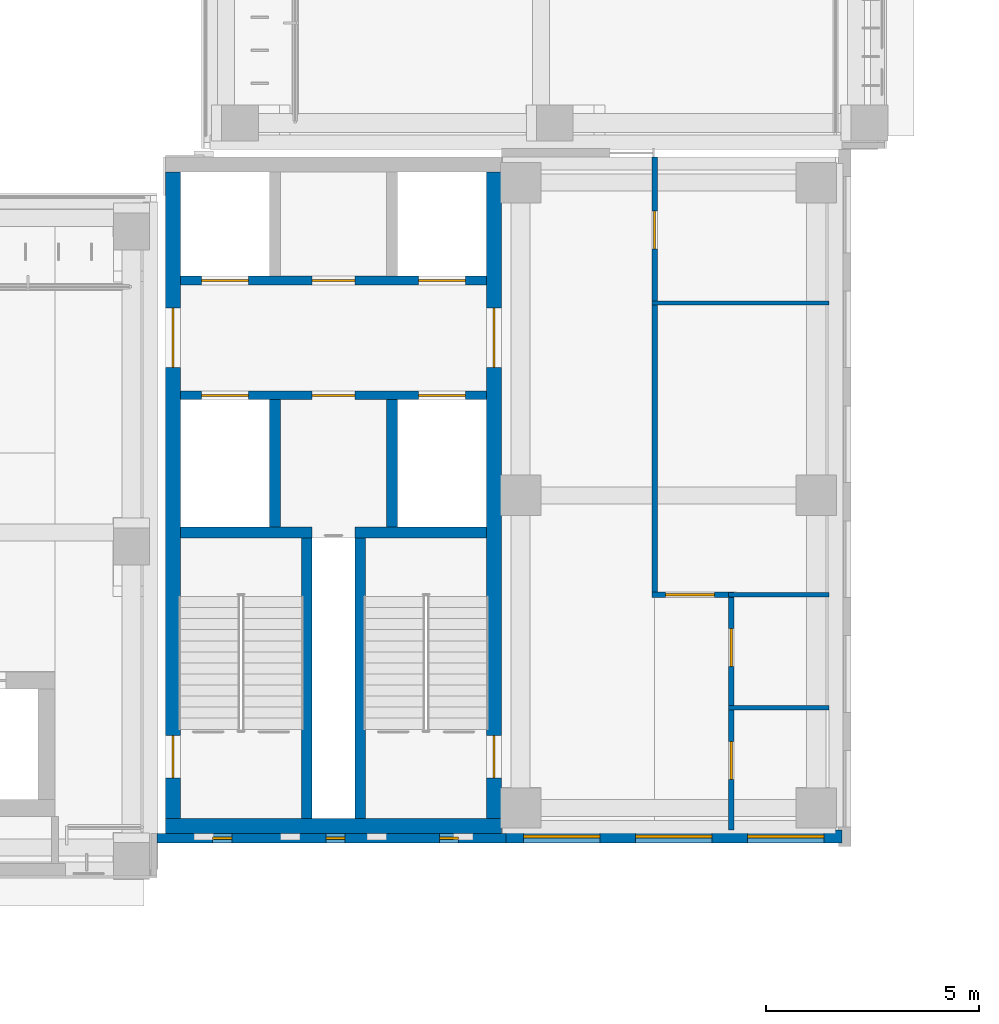
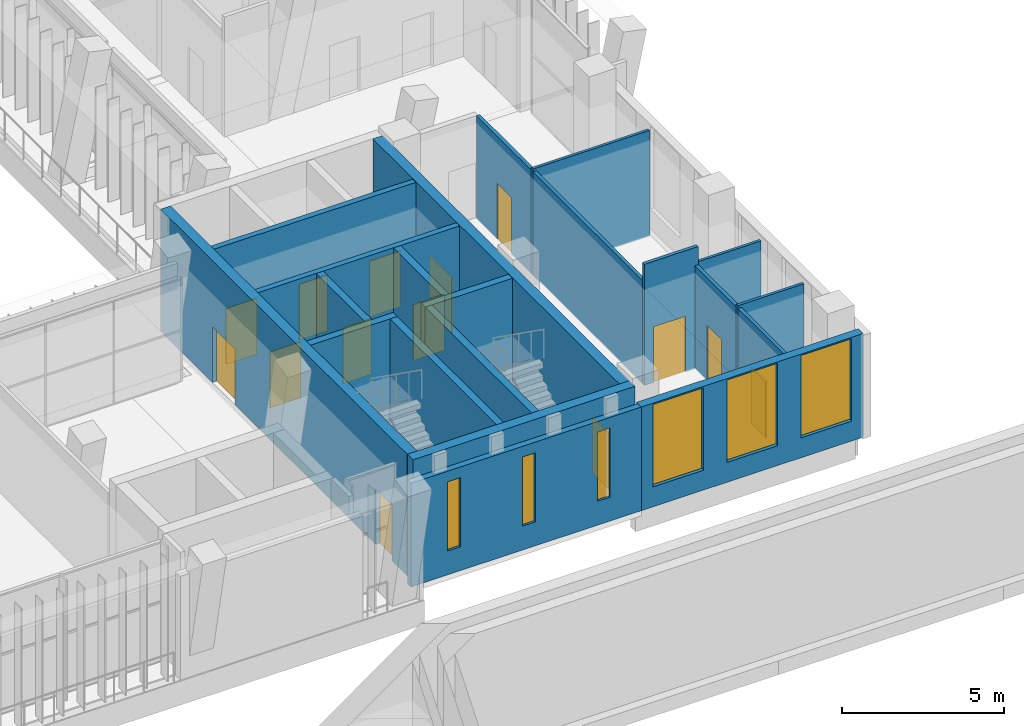
# One storey, part 62 of 92: 19 walls, 14 doors, 6 windows, 20 openings.
"""IFC4 building model written with IfcOpenShell, lengths in metres."""

from ifc_helpers import new_model, si_unit, direction, frame, frame_2d, origin, place, context, subcontext, project, spatial, rectangle, extrude, material, layer, layer_set, type_object, element, fill, save


model = new_model("IFC4")

# Units and contexts
model_context = context("Model", 3, precision=1e-05, world=origin(), true_north=direction((0.0, 1.0)))
body_context = subcontext(model_context, "Body", "Model", "MODEL_VIEW")
ifc_project = project(units=[si_unit("LENGTHUNIT", "METRE"), si_unit("AREAUNIT", "SQUARE_METRE"), si_unit("VOLUMEUNIT", "CUBIC_METRE"), si_unit("PLANEANGLEUNIT", "RADIAN"), si_unit("MASSUNIT", "GRAM", prefix="KILO")], contexts=[model_context])

# Site, building, storey
site_placement = place(None, origin())
site = spatial("IfcSite", under=ifc_project, at=site_placement, CompositionType="ELEMENT")
building_placement = place(site_placement, origin())
building = spatial("IfcBuilding", under=site, at=building_placement, Name="Lantern Court Media Centre", CompositionType="ELEMENT")
storey_placement = place(building_placement, frame((0.0, 0.0, 4.800048828125)))
storey = spatial("IfcBuildingStorey", under=building, at=storey_placement, Name="L01", CompositionType="ELEMENT", Elevation=4.800048828125)

# Wall, opening, door
ifc_material_1 = material(Name="Gypsum board partition")
ifc_layer_1 = layer(ifc_material_1, 0.125)
ifc_layer_set_1 = layer_set([ifc_layer_1], Name="Gypsum board partition")
wall_type_1 = type_object("IfcWallType", Name="Corridor partition 125", PredefinedType="PARTITIONING", material=ifc_layer_set_1)
wall_1_placement = place(storey_placement, frame((91.60009765625, 53.6767578125, 0.0), z_axis=(0.0, 0.0, 1.0), x_axis=(0.0, 1.0, 0.0)))
wall_1 = element("IfcWall", 1, at=wall_1_placement, inside=storey, type_object=wall_type_1, Name="L01 partition 046", PredefinedType="PARTITIONING", context=body_context, shape_type="SweptSolid", body=[
    extrude(rectangle(XDim=10.22314453125, YDim=0.125, at=frame_2d((5.111572265625, 0.0))), origin(), (0.0, 0.0, 1.0), 3.8798828125),
])
opening_1_placement = place(wall_1_placement, frame((8.058837890625, 0.0, 0.0)))
opening_1 = element("IfcOpeningElement", 2, at=opening_1_placement, cuts=wall_1, Name="Opening L01-026", PredefinedType="OPENING", context=body_context, shape_type="SweptSolid", body=[
    extrude(rectangle(XDim=0.89990234375, YDim=2.10009765625, at=frame_2d((0.449951171875, 1.050048828125))), frame((0.0, 0.072509765625, 0.0), z_axis=(0.0, -1.0, 0.0), x_axis=(1.0, 0.0, 0.0)), (0.0, 0.0, 1.0), 0.14501953125),
])
ifc_material_2 = material(Name="Solid-core timber door leaf", Category="wood")
door_type_1 = type_object("IfcDoorType", Name="Single door 900x2100", OperationType="NOTDEFINED", PredefinedType="DOOR", material=ifc_material_2)
door_1_placement = place(opening_1_placement, frame((0.89990234375, 0.0, 0.0), z_axis=(0.0, 0.0, 1.0), x_axis=(-1.0, 0.0, 0.0)))
door_1 = element("IfcDoor", 3, at=door_1_placement, inside=storey, type_object=door_type_1, Name="L01 Library Administration Office door", OperationType="SINGLE_SWING_LEFT", OverallHeight=2.10009765625, OverallWidth=0.89990234375, PredefinedType="DOOR", context=body_context, shape_type="SweptSolid", body=[
    extrude(rectangle(XDim=0.89990234375, YDim=2.10009765625, at=frame_2d((0.449951171875, 1.050048828125))), frame((0.0, 0.02490234375, 0.0), z_axis=(0.0, -1.0, 0.0), x_axis=(1.0, 0.0, 0.0)), (0.0, 0.0, 1.0), 0.050048828125),
])
fill(opening_1, door_1)

wall_2_placement = place(storey_placement, frame((91.53759765625, 53.614013671875, 0.0), z_axis=(0.0, 0.0, 1.0), x_axis=(1.0, 0.0, 0.0)))
wall_2 = element("IfcWall", 4, at=wall_2_placement, inside=storey, type_object=wall_type_1, Name="L01 partition 048", PredefinedType="PARTITIONING", context=body_context, shape_type="SweptSolid", body=[
    extrude(rectangle(XDim=1.9248046875, YDim=0.125, at=frame_2d((0.96240234375, 0.0))), origin(), (0.0, 0.0, 1.0), 4.56005859375),
])
opening_2_placement = place(wall_2_placement, frame((0.321533203125, 0.0, 0.0)))
opening_2 = element("IfcOpeningElement", 5, at=opening_2_placement, cuts=wall_2, Name="Opening L01-025", PredefinedType="OPENING", context=body_context, shape_type="SweptSolid", body=[
    extrude(rectangle(XDim=1.14990234375, YDim=2.10009765625, at=frame_2d((0.574951171875, 1.050048828125))), frame((0.0, 0.072509765625, 0.0), z_axis=(0.0, -1.0, 0.0), x_axis=(1.0, 0.0, 0.0)), (0.0, 0.0, 1.0), 0.14501953125),
])
door_type_2 = type_object("IfcDoorType", Name="Single door 1150x2100", OperationType="NOTDEFINED", PredefinedType="DOOR", material=ifc_material_2)
door_2_placement = place(opening_2_placement, origin())
door_2 = element("IfcDoor", 6, at=door_2_placement, inside=storey, type_object=door_type_2, Name="L01 Exhibition Gallery door", OperationType="SINGLE_SWING_RIGHT", OverallHeight=2.10009765625, OverallWidth=1.14990234375, PredefinedType="DOOR", context=body_context, shape_type="SweptSolid", body=[
    extrude(rectangle(XDim=1.14990234375, YDim=2.10009765625, at=frame_2d((0.574951171875, 1.050048828125))), frame((0.0, 0.02490234375, 0.0), z_axis=(0.0, -1.0, 0.0), x_axis=(1.0, 0.0, 0.0)), (0.0, 0.0, 1.0), 0.050048828125),
])
fill(opening_2, door_2)

# Wall, openings, doors
wall_3_placement = place(storey_placement, frame((93.39990234375, 48.080078125, 0.0), z_axis=(0.0, 0.0, 1.0), x_axis=(0.0, 1.0, 0.0)))
wall_3 = element("IfcWall", 7, at=wall_3_placement, inside=storey, type_object=wall_type_1, Name="L01 partition 051", PredefinedType="PARTITIONING", context=body_context, shape_type="SweptSolid", body=[
    extrude(rectangle(XDim=5.4716796875, YDim=0.125, at=frame_2d((2.73583984375, 0.0))), origin(), (0.0, 0.0, 1.0), 3.8798828125),
])
opening_3_placement = place(wall_3_placement, frame((1.183837890625, 0.0, 0.0)))
opening_3 = element("IfcOpeningElement", 8, at=opening_3_placement, cuts=wall_3, Name="Opening L01-027", PredefinedType="OPENING", context=body_context, shape_type="SweptSolid", body=[
    extrude(rectangle(XDim=0.89990234375, YDim=2.10009765625, at=frame_2d((0.449951171875, 1.050048828125))), frame((0.0, 0.072509765625, 0.0), z_axis=(0.0, -1.0, 0.0), x_axis=(1.0, 0.0, 0.0)), (0.0, 0.0, 1.0), 0.14501953125),
])
opening_4_placement = place(wall_3_placement, frame((3.8408203125, 0.0, 0.0)))
opening_4 = element("IfcOpeningElement", 9, at=opening_4_placement, cuts=wall_3, Name="Opening L01-028", PredefinedType="OPENING", context=body_context, shape_type="SweptSolid", body=[
    extrude(rectangle(XDim=0.89990234375, YDim=2.10009765625, at=frame_2d((0.449951171875, 1.050048828125))), frame((0.0, 0.072509765625, 0.0), z_axis=(0.0, -1.0, 0.0), x_axis=(1.0, 0.0, 0.0)), (0.0, 0.0, 1.0), 0.14501953125),
])
door_3_placement = place(opening_3_placement, frame((0.89990234375, 0.0, 0.0), z_axis=(0.0, 0.0, 1.0), x_axis=(-1.0, 0.0, 0.0)))
door_3 = element("IfcDoor", 10, at=door_3_placement, inside=storey, type_object=door_type_1, Name="L01 WC Male door", OperationType="SINGLE_SWING_RIGHT", OverallHeight=2.10009765625, OverallWidth=0.89990234375, PredefinedType="DOOR", context=body_context, shape_type="SweptSolid", body=[
    extrude(rectangle(XDim=0.89990234375, YDim=2.10009765625, at=frame_2d((0.449951171875, 1.050048828125))), frame((0.0, 0.02490234375, 0.0), z_axis=(0.0, -1.0, 0.0), x_axis=(1.0, 0.0, 0.0)), (0.0, 0.0, 1.0), 0.050048828125),
])
fill(opening_3, door_3)
door_4_placement = place(opening_4_placement, frame((0.89990234375, 0.0, 0.0), z_axis=(0.0, 0.0, 1.0), x_axis=(-1.0, 0.0, 0.0)))
door_4 = element("IfcDoor", 11, at=door_4_placement, inside=storey, type_object=door_type_1, Name="L01 WC Female door", OperationType="SINGLE_SWING_LEFT", OverallHeight=2.10009765625, OverallWidth=0.89990234375, PredefinedType="DOOR", context=body_context, shape_type="SweptSolid", body=[
    extrude(rectangle(XDim=0.89990234375, YDim=2.10009765625, at=frame_2d((0.449951171875, 1.050048828125))), frame((0.0, 0.02490234375, 0.0), z_axis=(0.0, -1.0, 0.0), x_axis=(1.0, 0.0, 0.0)), (0.0, 0.0, 1.0), 0.050048828125),
])
fill(opening_4, door_4)

ifc_material_3 = material(Name="Concrete C40", Category="concrete")
ifc_layer_2 = layer(ifc_material_3, 0.199951171875)
ifc_layer_set_2 = layer_set([ifc_layer_2], Name="Concrete C40")
wall_type_2 = type_object("IfcWallType", Name="Fire lobby wall 200", PredefinedType="SOLIDWALL", material=ifc_layer_set_2)
wall_4_placement = place(storey_placement, frame((87.64990234375, 58.300048828125, 0.0), z_axis=(0.0, 0.0, 1.0), x_axis=(-1.0, 0.0, 0.0)))
wall_4 = element("IfcWall", 12, at=wall_4_placement, inside=storey, type_object=wall_type_2, Name="L01 SE FW1", PredefinedType="SOLIDWALL", context=body_context, shape_type="SweptSolid", body=[
    extrude(rectangle(XDim=7.199951171875, YDim=0.199951171875, at=frame_2d((3.60009765625, 0.0))), origin(), (0.0, 0.0, 1.0), 4.550048828125),
])
opening_5_placement = place(wall_4_placement, frame((0.5, 0.0, 0.0)))
opening_5 = element("IfcOpeningElement", 13, at=opening_5_placement, cuts=wall_4, Name="Opening LD-SEFF-L01", PredefinedType="OPENING", context=body_context, shape_type="SweptSolid", body=[
    extrude(rectangle(XDim=1.10009765625, YDim=2.10009765625, at=frame_2d((0.550048828125, 1.050048828125))), frame((0.0, 0.10986328125, 0.0), z_axis=(0.0, -1.0, 0.0), x_axis=(1.0, 0.0, 0.0)), (0.0, 0.0, 1.0), 0.219970703125),
])
opening_6_placement = place(wall_4_placement, frame((5.60009765625, 0.0, 0.0)))
opening_6 = element("IfcOpeningElement", 14, at=opening_6_placement, cuts=wall_4, Name="Opening LD-SEP1-L01", PredefinedType="OPENING", context=body_context, shape_type="SweptSolid", body=[
    extrude(rectangle(XDim=1.10009765625, YDim=2.10009765625, at=frame_2d((0.550048828125, 1.050048828125))), frame((0.0, 0.10986328125, 0.0), z_axis=(0.0, -1.0, 0.0), x_axis=(1.0, 0.0, 0.0)), (0.0, 0.0, 1.0), 0.219970703125),
])
opening_7_placement = place(wall_4_placement, frame((3.10009765625, 0.0, 0.0)))
opening_7 = element("IfcOpeningElement", 15, at=opening_7_placement, cuts=wall_4, Name="Opening SE-L01-03", PredefinedType="OPENING", context=body_context, shape_type="SweptSolid", body=[
    extrude(rectangle(XDim=1.0, YDim=2.10009765625, at=frame_2d((0.5, 1.050048828125))), frame((0.0, 0.10986328125, 0.0), z_axis=(0.0, -1.0, 0.0), x_axis=(1.0, 0.0, 0.0)), (0.0, 0.0, 1.0), 0.219970703125),
])
ifc_material_4 = material(Name="Steel door leaf", Category="steel")
door_type_3 = type_object("IfcDoorType", Name="Lift landing door 1100x2100", OperationType="DOUBLE_DOOR_SLIDING", PredefinedType="DOOR", material=ifc_material_4)
door_5_placement = place(opening_5_placement, frame((1.10009765625, 0.0, 0.0), z_axis=(0.0, 0.0, 1.0), x_axis=(-1.0, 0.0, 0.0)))
door_5 = element("IfcDoor", 16, at=door_5_placement, inside=storey, type_object=door_type_3, Name="L01 SE lift FF landing door", OperationType="DOUBLE_DOOR_SLIDING", OverallHeight=2.10009765625, OverallWidth=1.10009765625, PredefinedType="DOOR", context=body_context, shape_type="SweptSolid", body=[
    extrude(rectangle(XDim=1.10009765625, YDim=2.10009765625, at=frame_2d((0.550048828125, 1.050048828125))), frame((0.0, 0.02490234375, 0.0), z_axis=(0.0, -1.0, 0.0), x_axis=(1.0, 0.0, 0.0)), (0.0, 0.0, 1.0), 0.050048828125),
])
fill(opening_5, door_5)
door_6_placement = place(opening_6_placement, frame((1.10009765625, 0.0, 0.0), z_axis=(0.0, 0.0, 1.0), x_axis=(-1.0, 0.0, 0.0)))
door_6 = element("IfcDoor", 17, at=door_6_placement, inside=storey, type_object=door_type_3, Name="L01 SE lift P1 landing door", OperationType="DOUBLE_DOOR_SLIDING", OverallHeight=2.10009765625, OverallWidth=1.10009765625, PredefinedType="DOOR", context=body_context, shape_type="SweptSolid", body=[
    extrude(rectangle(XDim=1.10009765625, YDim=2.10009765625, at=frame_2d((0.550048828125, 1.050048828125))), frame((0.0, 0.02490234375, 0.0), z_axis=(0.0, -1.0, 0.0), x_axis=(1.0, 0.0, 0.0)), (0.0, 0.0, 1.0), 0.050048828125),
])
fill(opening_6, door_6)
door_type_4 = type_object("IfcDoorType", Name="Service door 1000x2100", OperationType="NOTDEFINED", PredefinedType="DOOR", material=ifc_material_4)
door_7_placement = place(opening_7_placement, frame((1.0, 0.0, 0.0), z_axis=(0.0, 0.0, 1.0), x_axis=(-1.0, 0.0, 0.0)))
door_7 = element("IfcDoor", 18, at=door_7_placement, inside=storey, type_object=door_type_4, Name="L01 SE services riser door", OperationType="SINGLE_SWING_LEFT", OverallHeight=2.10009765625, OverallWidth=1.0, PredefinedType="DOOR", context=body_context, shape_type="SweptSolid", body=[
    extrude(rectangle(XDim=1.0, YDim=2.10009765625, at=frame_2d((0.5, 1.050048828125))), frame((0.0, 0.02490234375, 0.0), z_axis=(0.0, -1.0, 0.0), x_axis=(1.0, 0.0, 0.0)), (0.0, 0.0, 1.0), 0.050048828125),
])
fill(opening_7, door_7)

wall_5_placement = place(storey_placement, frame((87.64990234375, 61.0, 0.0), z_axis=(0.0, 0.0, 1.0), x_axis=(-1.0, 0.0, 0.0)))
wall_5 = element("IfcWall", 19, at=wall_5_placement, inside=storey, type_object=wall_type_2, Name="L01 SE FW2", PredefinedType="SOLIDWALL", context=body_context, shape_type="SweptSolid", body=[
    extrude(rectangle(XDim=7.199951171875, YDim=0.199951171875, at=frame_2d((3.60009765625, 0.0))), origin(), (0.0, 0.0, 1.0), 4.550048828125),
])
opening_8_placement = place(wall_5_placement, frame((0.5, 0.0, 0.0)))
opening_8 = element("IfcOpeningElement", 20, at=opening_8_placement, cuts=wall_5, Name="Opening LD-SEP2-L01", PredefinedType="OPENING", context=body_context, shape_type="SweptSolid", body=[
    extrude(rectangle(XDim=1.10009765625, YDim=2.10009765625, at=frame_2d((0.550048828125, 1.050048828125))), frame((0.0, 0.10986328125, 0.0), z_axis=(0.0, -1.0, 0.0), x_axis=(1.0, 0.0, 0.0)), (0.0, 0.0, 1.0), 0.219970703125),
])
opening_9_placement = place(wall_5_placement, frame((5.60009765625, 0.0, 0.0)))
opening_9 = element("IfcOpeningElement", 21, at=opening_9_placement, cuts=wall_5, Name="Opening LD-SEP3-L01", PredefinedType="OPENING", context=body_context, shape_type="SweptSolid", body=[
    extrude(rectangle(XDim=1.10009765625, YDim=2.10009765625, at=frame_2d((0.550048828125, 1.050048828125))), frame((0.0, 0.10986328125, 0.0), z_axis=(0.0, -1.0, 0.0), x_axis=(1.0, 0.0, 0.0)), (0.0, 0.0, 1.0), 0.219970703125),
])
opening_10_placement = place(wall_5_placement, frame((3.10009765625, 0.0, 0.0)))
opening_10 = element("IfcOpeningElement", 22, at=opening_10_placement, cuts=wall_5, Name="Opening SE-L01-04", PredefinedType="OPENING", context=body_context, shape_type="SweptSolid", body=[
    extrude(rectangle(XDim=1.0, YDim=2.10009765625, at=frame_2d((0.5, 1.050048828125))), frame((0.0, 0.10986328125, 0.0), z_axis=(0.0, -1.0, 0.0), x_axis=(1.0, 0.0, 0.0)), (0.0, 0.0, 1.0), 0.219970703125),
])
door_8_placement = place(opening_8_placement, origin())
door_8 = element("IfcDoor", 23, at=door_8_placement, inside=storey, type_object=door_type_3, Name="L01 SE lift P2 landing door", OperationType="DOUBLE_DOOR_SLIDING", OverallHeight=2.10009765625, OverallWidth=1.10009765625, PredefinedType="DOOR", context=body_context, shape_type="SweptSolid", body=[
    extrude(rectangle(XDim=1.10009765625, YDim=2.10009765625, at=frame_2d((0.550048828125, 1.050048828125))), frame((0.0, 0.02490234375, 0.0), z_axis=(0.0, -1.0, 0.0), x_axis=(1.0, 0.0, 0.0)), (0.0, 0.0, 1.0), 0.050048828125),
])
fill(opening_8, door_8)
door_9_placement = place(opening_9_placement, origin())
door_9 = element("IfcDoor", 24, at=door_9_placement, inside=storey, type_object=door_type_3, Name="L01 SE lift P3 landing door", OperationType="DOUBLE_DOOR_SLIDING", OverallHeight=2.10009765625, OverallWidth=1.10009765625, PredefinedType="DOOR", context=body_context, shape_type="SweptSolid", body=[
    extrude(rectangle(XDim=1.10009765625, YDim=2.10009765625, at=frame_2d((0.550048828125, 1.050048828125))), frame((0.0, 0.02490234375, 0.0), z_axis=(0.0, -1.0, 0.0), x_axis=(1.0, 0.0, 0.0)), (0.0, 0.0, 1.0), 0.050048828125),
])
fill(opening_9, door_9)
door_10_placement = place(opening_10_placement, origin())
door_10 = element("IfcDoor", 25, at=door_10_placement, inside=storey, type_object=door_type_4, Name="L01 SE accessible WC door", OperationType="SINGLE_SWING_RIGHT", OverallHeight=2.10009765625, OverallWidth=1.0, PredefinedType="DOOR", context=body_context, shape_type="SweptSolid", body=[
    extrude(rectangle(XDim=1.0, YDim=2.10009765625, at=frame_2d((0.5, 1.050048828125))), frame((0.0, 0.02490234375, 0.0), z_axis=(0.0, -1.0, 0.0), x_axis=(1.0, 0.0, 0.0)), (0.0, 0.0, 1.0), 0.050048828125),
])
fill(opening_10, door_10)

# Wall, openings, windows
ifc_material_5 = material(Name="Honed limestone cladding on blockwork", Category="masonry")
ifc_layer_3 = layer(ifc_material_5, 0.300048828125)
ifc_layer_set_3 = layer_set([ifc_layer_3], Name="Honed limestone cladding on blockwork")
wall_type_3 = type_object("IfcWallType", Name="Limestone block wall 300", PredefinedType="SOLIDWALL", material=ifc_layer_set_3)
wall_6_placement = place(storey_placement, frame((88.10009765625, 47.929931640625, 0.0), z_axis=(0.0, 0.0, 1.0), x_axis=(1.0, 0.0, 0.0)))
wall_6 = element("IfcWall", 26, at=wall_6_placement, inside=storey, type_object=wall_type_3, Name="Limestone wall SE S L01", PredefinedType="SOLIDWALL", context=body_context, shape_type="SweptSolid", body=[
    extrude(rectangle(XDim=7.89990234375, YDim=0.300048828125, at=frame_2d((3.949951171875, 0.0))), origin(), (0.0, 0.0, 1.0), 3.89990234375),
])
opening_11_placement = place(wall_6_placement, frame((0.416748046875, 0.0, 0.75)))
opening_11 = element("IfcOpeningElement", 27, at=opening_11_placement, cuts=wall_6, Name="Opening WN-F", PredefinedType="OPENING", context=body_context, shape_type="SweptSolid", body=[
    extrude(rectangle(XDim=1.800048828125, YDim=3.10009765625, at=frame_2d((0.89990234375, 1.550048828125))), frame((0.0, 0.159912109375, 0.0), z_axis=(0.0, -1.0, 0.0), x_axis=(1.0, 0.0, 0.0)), (0.0, 0.0, 1.0), 0.320068359375),
])
opening_12_placement = place(wall_6_placement, frame((3.050048828125, 0.0, 0.75)))
opening_12 = element("IfcOpeningElement", 28, at=opening_12_placement, cuts=wall_6, Name="Opening WN-F", PredefinedType="OPENING", context=body_context, shape_type="SweptSolid", body=[
    extrude(rectangle(XDim=1.800048828125, YDim=3.10009765625, at=frame_2d((0.89990234375, 1.550048828125))), frame((0.0, 0.159912109375, 0.0), z_axis=(0.0, -1.0, 0.0), x_axis=(1.0, 0.0, 0.0)), (0.0, 0.0, 1.0), 0.320068359375),
])
opening_13_placement = place(wall_6_placement, frame((5.683349609375, 0.0, 0.75)))
opening_13 = element("IfcOpeningElement", 29, at=opening_13_placement, cuts=wall_6, Name="Opening WN-F", PredefinedType="OPENING", context=body_context, shape_type="SweptSolid", body=[
    extrude(rectangle(XDim=1.800048828125, YDim=3.10009765625, at=frame_2d((0.89990234375, 1.550048828125))), frame((0.0, 0.159912109375, 0.0), z_axis=(0.0, -1.0, 0.0), x_axis=(1.0, 0.0, 0.0)), (0.0, 0.0, 1.0), 0.320068359375),
])
ifc_material_6 = material(Name="Anodised aluminium and glass", Category="aluminium")
window_type_1 = type_object("IfcWindowType", Name="Foyer window 1800x3100", PartitioningType="SINGLE_PANEL", PredefinedType="WINDOW", material=ifc_material_6)
window_1_placement = place(opening_11_placement, origin())
window_1 = element("IfcWindow", 30, at=window_1_placement, inside=storey, type_object=window_type_1, Name="Window SE S L01", OverallHeight=3.10009765625, OverallWidth=1.800048828125, PartitioningType="SINGLE_PANEL", PredefinedType="WINDOW", context=body_context, shape_type="SweptSolid", body=[
    extrude(rectangle(XDim=1.800048828125, YDim=3.10009765625, at=frame_2d((0.89990234375, 1.550048828125))), frame((0.0, 0.030029296875, 0.0), z_axis=(0.0, -1.0, 0.0), x_axis=(1.0, 0.0, 0.0)), (0.0, 0.0, 1.0), 0.06005859375),
])
fill(opening_11, window_1)
window_2_placement = place(opening_12_placement, origin())
window_2 = element("IfcWindow", 31, at=window_2_placement, inside=storey, type_object=window_type_1, Name="Window SE S L01", OverallHeight=3.10009765625, OverallWidth=1.800048828125, PartitioningType="SINGLE_PANEL", PredefinedType="WINDOW", context=body_context, shape_type="SweptSolid", body=[
    extrude(rectangle(XDim=1.800048828125, YDim=3.10009765625, at=frame_2d((0.89990234375, 1.550048828125))), frame((0.0, 0.030029296875, 0.0), z_axis=(0.0, -1.0, 0.0), x_axis=(1.0, 0.0, 0.0)), (0.0, 0.0, 1.0), 0.06005859375),
])
fill(opening_12, window_2)
window_3_placement = place(opening_13_placement, origin())
window_3 = element("IfcWindow", 32, at=window_3_placement, inside=storey, type_object=window_type_1, Name="Window SE S L01", OverallHeight=3.10009765625, OverallWidth=1.800048828125, PartitioningType="SINGLE_PANEL", PredefinedType="WINDOW", context=body_context, shape_type="SweptSolid", body=[
    extrude(rectangle(XDim=1.800048828125, YDim=3.10009765625, at=frame_2d((0.89990234375, 1.550048828125))), frame((0.0, 0.030029296875, 0.0), z_axis=(0.0, -1.0, 0.0), x_axis=(1.0, 0.0, 0.0)), (0.0, 0.0, 1.0), 0.06005859375),
])
fill(opening_13, window_3)

ifc_material_7 = material(Name="Honed limestone cladding on blockwork, reduced to 220 where it passes the core wall", Category="masonry")
ifc_layer_4 = layer(ifc_material_7, 0.219970703125)
ifc_layer_set_4 = layer_set([ifc_layer_4], Name="Honed limestone cladding on blockwork, reduced to 220 where it passes the core wall")
wall_type_4 = type_object("IfcWallType", Name="Limestone skin wall 220", PredefinedType="SOLIDWALL", material=ifc_layer_set_4)
wall_7_placement = place(storey_placement, frame((79.89990234375, 47.889892578125, 0.0), z_axis=(0.0, 0.0, 1.0), x_axis=(1.0, 0.0, 0.0)))
wall_7 = element("IfcWall", 33, at=wall_7_placement, inside=storey, type_object=wall_type_4, Name="Limestone wall SE S L01", PredefinedType="SOLIDWALL", context=body_context, shape_type="SweptSolid", body=[
    extrude(rectangle(XDim=8.2001953125, YDim=0.219970703125, at=frame_2d((4.10009765625, 0.0))), origin(), (0.0, 0.0, 1.0), 3.89990234375),
])
opening_14_placement = place(wall_7_placement, frame((1.308349609375, 0.0, 0.89990234375)))
opening_14 = element("IfcOpeningElement", 34, at=opening_14_placement, cuts=wall_7, Name="Opening WN-S", PredefinedType="OPENING", context=body_context, shape_type="SweptSolid", body=[
    extrude(rectangle(XDim=0.449951171875, YDim=2.60009765625, at=frame_2d((0.22509765625, 1.300048828125))), frame((0.0, 0.119873046875, 0.0), z_axis=(0.0, -1.0, 0.0), x_axis=(1.0, 0.0, 0.0)), (0.0, 0.0, 1.0), 0.239990234375),
])
opening_15_placement = place(wall_7_placement, frame((3.97509765625, 0.0, 0.89990234375)))
opening_15 = element("IfcOpeningElement", 35, at=opening_15_placement, cuts=wall_7, Name="Opening WN-S", PredefinedType="OPENING", context=body_context, shape_type="SweptSolid", body=[
    extrude(rectangle(XDim=0.449951171875, YDim=2.60009765625, at=frame_2d((0.22509765625, 1.300048828125))), frame((0.0, 0.119873046875, 0.0), z_axis=(0.0, -1.0, 0.0), x_axis=(1.0, 0.0, 0.0)), (0.0, 0.0, 1.0), 0.239990234375),
])
opening_16_placement = place(wall_7_placement, frame((6.6416015625, 0.0, 0.89990234375)))
opening_16 = element("IfcOpeningElement", 36, at=opening_16_placement, cuts=wall_7, Name="Opening WN-S", PredefinedType="OPENING", context=body_context, shape_type="SweptSolid", body=[
    extrude(rectangle(XDim=0.449951171875, YDim=2.60009765625, at=frame_2d((0.22509765625, 1.300048828125))), frame((0.0, 0.119873046875, 0.0), z_axis=(0.0, -1.0, 0.0), x_axis=(1.0, 0.0, 0.0)), (0.0, 0.0, 1.0), 0.239990234375),
])
window_type_2 = type_object("IfcWindowType", Name="Stair slit window 450x2600", PartitioningType="SINGLE_PANEL", PredefinedType="WINDOW", material=ifc_material_6)
window_4_placement = place(opening_14_placement, origin())
window_4 = element("IfcWindow", 37, at=window_4_placement, inside=storey, type_object=window_type_2, Name="Window SE S L01", OverallHeight=2.60009765625, OverallWidth=0.449951171875, PartitioningType="SINGLE_PANEL", PredefinedType="WINDOW", context=body_context, shape_type="SweptSolid", body=[
    extrude(rectangle(XDim=0.449951171875, YDim=2.60009765625, at=frame_2d((0.22509765625, 1.300048828125))), frame((0.0, 0.030029296875, 0.0), z_axis=(0.0, -1.0, 0.0), x_axis=(1.0, 0.0, 0.0)), (0.0, 0.0, 1.0), 0.06005859375),
])
fill(opening_14, window_4)
window_5_placement = place(opening_15_placement, origin())
window_5 = element("IfcWindow", 38, at=window_5_placement, inside=storey, type_object=window_type_2, Name="Window SE S L01", OverallHeight=2.60009765625, OverallWidth=0.449951171875, PartitioningType="SINGLE_PANEL", PredefinedType="WINDOW", context=body_context, shape_type="SweptSolid", body=[
    extrude(rectangle(XDim=0.449951171875, YDim=2.60009765625, at=frame_2d((0.22509765625, 1.300048828125))), frame((0.0, 0.030029296875, 0.0), z_axis=(0.0, -1.0, 0.0), x_axis=(1.0, 0.0, 0.0)), (0.0, 0.0, 1.0), 0.06005859375),
])
fill(opening_15, window_5)
window_6_placement = place(opening_16_placement, origin())
window_6 = element("IfcWindow", 39, at=window_6_placement, inside=storey, type_object=window_type_2, Name="Window SE S L01", OverallHeight=2.60009765625, OverallWidth=0.449951171875, PartitioningType="SINGLE_PANEL", PredefinedType="WINDOW", context=body_context, shape_type="SweptSolid", body=[
    extrude(rectangle(XDim=0.449951171875, YDim=2.60009765625, at=frame_2d((0.22509765625, 1.300048828125))), frame((0.0, 0.030029296875, 0.0), z_axis=(0.0, -1.0, 0.0), x_axis=(1.0, 0.0, 0.0)), (0.0, 0.0, 1.0), 0.06005859375),
])
fill(opening_16, window_6)

# Walls
ifc_layer_5 = layer(ifc_material_1, 0.10009765625)
ifc_layer_set_5 = layer_set([ifc_layer_5], Name="Gypsum board partition")
wall_type_5 = type_object("IfcWallType", Name="Partition 100", PredefinedType="PARTITIONING", material=ifc_layer_set_5)
wall_8_placement = place(storey_placement, frame((93.33740234375, 53.614013671875, 0.0), z_axis=(0.0, 0.0, 1.0), x_axis=(1.0, 0.0, 0.0)))
element("IfcWall", 40, at=wall_8_placement, inside=storey, type_object=wall_type_5, Name="L01 partition 049", PredefinedType="PARTITIONING", context=body_context, shape_type="SweptSolid", body=[
    extrude(rectangle(XDim=2.362548828125, YDim=0.10009765625, at=frame_2d((1.18115234375, 0.0))), origin(), (0.0, 0.0, 1.0), 3.97998046875),
])
wall_9_placement = place(storey_placement, frame((91.53759765625, 60.470947265625, 0.0), z_axis=(0.0, 0.0, 1.0), x_axis=(1.0, 0.0, 0.0)))
element("IfcWall", 41, at=wall_9_placement, inside=storey, type_object=wall_type_5, Name="L01 partition 050", PredefinedType="PARTITIONING", context=body_context, shape_type="SweptSolid", body=[
    extrude(rectangle(XDim=4.162353515625, YDim=0.10009765625, at=frame_2d((2.0810546875, 0.0))), origin(), (0.0, 0.0, 1.0), 3.97998046875),
])
wall_10_placement = place(storey_placement, frame((93.33740234375, 50.95703125, 0.0), z_axis=(0.0, 0.0, 1.0), x_axis=(1.0, 0.0, 0.0)))
element("IfcWall", 42, at=wall_10_placement, inside=storey, type_object=wall_type_5, Name="L01 partition 053", PredefinedType="PARTITIONING", context=body_context, shape_type="SweptSolid", body=[
    extrude(rectangle(XDim=2.362548828125, YDim=0.10009765625, at=frame_2d((1.18115234375, 0.0))), origin(), (0.0, 0.0, 1.0), 3.97998046875),
])
ifc_layer_6 = layer(ifc_material_3, 0.35009765625)
ifc_layer_set_6 = layer_set([ifc_layer_6], Name="Concrete C40")
wall_type_6 = type_object("IfcWallType", Name="RC CORE WALL 350", PredefinedType="SHEAR", material=ifc_layer_set_6)
wall_11_placement = place(storey_placement, frame((80.10009765625, 48.175048828125, 0.0), z_axis=(0.0, 0.0, 1.0), x_axis=(1.0, 0.0, 0.0)))
element("IfcWall", 43, at=wall_11_placement, inside=storey, type_object=wall_type_6, Name="WC-SE-L01-S", PredefinedType="SHEAR", context=body_context, shape_type="SweptSolid", body=[
    extrude(rectangle(XDim=7.89990234375, YDim=0.35009765625, at=frame_2d((3.949951171875, 0.0))), origin(), (0.0, 0.0, 1.0), 4.579833984375),
])

# Wall, openings, doors
wall_12_placement = place(storey_placement, frame((80.27490234375, 48.35009765625, 0.0), z_axis=(0.0, 0.0, 1.0), x_axis=(0.0, 1.0, 0.0)))
wall_12 = element("IfcWall", 44, at=wall_12_placement, inside=storey, type_object=wall_type_6, Name="WC-SE-L01-W", PredefinedType="SHEAR", context=body_context, shape_type="SweptSolid", body=[
    extrude(rectangle(XDim=15.199951171875, YDim=0.35009765625, at=frame_2d((7.60009765625, 0.0))), origin(), (0.0, 0.0, 1.0), 4.579833984375),
])
opening_17_placement = place(wall_12_placement, frame((0.949951171875, 0.0, 0.0)))
opening_17 = element("IfcOpeningElement", 45, at=opening_17_placement, cuts=wall_12, Name="Opening SE-L01-02", PredefinedType="OPENING", context=body_context, shape_type="SweptSolid", body=[
    extrude(rectangle(XDim=1.0, YDim=2.10009765625, at=frame_2d((0.5, 1.050048828125))), frame((0.0, 0.18505859375, 0.0), z_axis=(0.0, -1.0, 0.0), x_axis=(1.0, 0.0, 0.0)), (0.0, 0.0, 1.0), 0.3701171875),
])
opening_18_placement = place(wall_12_placement, frame((10.60009765625, 0.0, 0.0)))
opening_18 = element("IfcOpeningElement", 46, at=opening_18_placement, cuts=wall_12, Name="Opening SE-L01-06", PredefinedType="OPENING", context=body_context, shape_type="SweptSolid", body=[
    extrude(rectangle(XDim=1.39990234375, YDim=2.10009765625, at=frame_2d((0.699951171875, 1.050048828125))), frame((0.0, 0.18505859375, 0.0), z_axis=(0.0, -1.0, 0.0), x_axis=(1.0, 0.0, 0.0)), (0.0, 0.0, 1.0), 0.3701171875),
])
door_type_5 = type_object("IfcDoorType", Name="Lift lobby double door 1400x2100", OperationType="NOTDEFINED", PredefinedType="DOOR", material=ifc_material_4)
door_11_placement = place(opening_18_placement, origin())
door_11 = element("IfcDoor", 47, at=door_11_placement, inside=storey, type_object=door_type_5, Name="L01 SE lift lobby east door", OperationType="SINGLE_SWING_LEFT", OverallHeight=2.10009765625, OverallWidth=1.39990234375, PredefinedType="DOOR", context=body_context, shape_type="SweptSolid", body=[
    extrude(rectangle(XDim=1.39990234375, YDim=2.10009765625, at=frame_2d((0.699951171875, 1.050048828125))), frame((0.0, 0.02490234375, 0.0), z_axis=(0.0, -1.0, 0.0), x_axis=(1.0, 0.0, 0.0)), (0.0, 0.0, 1.0), 0.050048828125),
])
fill(opening_18, door_11)
door_type_6 = type_object("IfcDoorType", Name="Stair door 1000x2100", OperationType="NOTDEFINED", PredefinedType="DOOR", material=ifc_material_4)
door_12_placement = place(opening_17_placement, origin())
door_12 = element("IfcDoor", 48, at=door_12_placement, inside=storey, type_object=door_type_6, Name="L01 SE stair B door", OperationType="SINGLE_SWING_LEFT", OverallHeight=2.10009765625, OverallWidth=1.0, PredefinedType="DOOR", context=body_context, shape_type="SweptSolid", body=[
    extrude(rectangle(XDim=1.0, YDim=2.10009765625, at=frame_2d((0.5, 1.050048828125))), frame((0.0, 0.02490234375, 0.0), z_axis=(0.0, -1.0, 0.0), x_axis=(1.0, 0.0, 0.0)), (0.0, 0.0, 1.0), 0.050048828125),
])
fill(opening_17, door_12)

wall_13_placement = place(storey_placement, frame((87.824951171875, 48.35009765625, 0.0), z_axis=(0.0, 0.0, 1.0), x_axis=(0.0, 1.0, 0.0)))
wall_13 = element("IfcWall", 49, at=wall_13_placement, inside=storey, type_object=wall_type_6, Name="WC-SE-L01-E", PredefinedType="SHEAR", context=body_context, shape_type="SweptSolid", body=[
    extrude(rectangle(XDim=15.199951171875, YDim=0.35009765625, at=frame_2d((7.60009765625, 0.0))), origin(), (0.0, 0.0, 1.0), 4.579833984375),
])
opening_19_placement = place(wall_13_placement, frame((0.949951171875, 0.0, 0.0)))
opening_19 = element("IfcOpeningElement", 50, at=opening_19_placement, cuts=wall_13, Name="Opening SE-L01-01", PredefinedType="OPENING", context=body_context, shape_type="SweptSolid", body=[
    extrude(rectangle(XDim=1.0, YDim=2.10009765625, at=frame_2d((0.5, 1.050048828125))), frame((0.0, 0.18505859375, 0.0), z_axis=(0.0, -1.0, 0.0), x_axis=(1.0, 0.0, 0.0)), (0.0, 0.0, 1.0), 0.3701171875),
])
opening_20_placement = place(wall_13_placement, frame((10.60009765625, 0.0, 0.0)))
opening_20 = element("IfcOpeningElement", 51, at=opening_20_placement, cuts=wall_13, Name="Opening SE-L01-05", PredefinedType="OPENING", context=body_context, shape_type="SweptSolid", body=[
    extrude(rectangle(XDim=1.39990234375, YDim=2.10009765625, at=frame_2d((0.699951171875, 1.050048828125))), frame((0.0, 0.18505859375, 0.0), z_axis=(0.0, -1.0, 0.0), x_axis=(1.0, 0.0, 0.0)), (0.0, 0.0, 1.0), 0.3701171875),
])
door_13_placement = place(opening_20_placement, frame((1.39990234375, 0.0, 0.0), z_axis=(0.0, 0.0, 1.0), x_axis=(-1.0, 0.0, 0.0)))
door_13 = element("IfcDoor", 52, at=door_13_placement, inside=storey, type_object=door_type_5, Name="L01 SE lift lobby west door", OperationType="SINGLE_SWING_LEFT", OverallHeight=2.10009765625, OverallWidth=1.39990234375, PredefinedType="DOOR", context=body_context, shape_type="SweptSolid", body=[
    extrude(rectangle(XDim=1.39990234375, YDim=2.10009765625, at=frame_2d((0.699951171875, 1.050048828125))), frame((0.0, 0.02490234375, 0.0), z_axis=(0.0, -1.0, 0.0), x_axis=(1.0, 0.0, 0.0)), (0.0, 0.0, 1.0), 0.050048828125),
])
fill(opening_20, door_13)
door_14_placement = place(opening_19_placement, frame((1.0, 0.0, 0.0), z_axis=(0.0, 0.0, 1.0), x_axis=(-1.0, 0.0, 0.0)))
door_14 = element("IfcDoor", 53, at=door_14_placement, inside=storey, type_object=door_type_6, Name="L01 SE stair A door", OperationType="SINGLE_SWING_LEFT", OverallHeight=2.10009765625, OverallWidth=1.0, PredefinedType="DOOR", context=body_context, shape_type="SweptSolid", body=[
    extrude(rectangle(XDim=1.0, YDim=2.10009765625, at=frame_2d((0.5, 1.050048828125))), frame((0.0, 0.02490234375, 0.0), z_axis=(0.0, -1.0, 0.0), x_axis=(1.0, 0.0, 0.0)), (0.0, 0.0, 1.0), 0.050048828125),
])
fill(opening_19, door_14)

# Walls
ifc_layer_7 = layer(ifc_material_3, 0.25)
ifc_layer_set_7 = layer_set([ifc_layer_7], Name="Concrete C40")
wall_type_7 = type_object("IfcWallType", Name="RC lift shaft wall 250", PredefinedType="SOLIDWALL", material=ifc_layer_set_7)
for number, where, z_axis, x_axis, name in (
    (54, (85.425048828125, 55.199951171875, 0.0), (0.0, 0.0, 1.0), (0.0, 1.0, 0.0), "L01 SE L1a"),
    (55, (82.675048828125, 55.199951171875, 0.0), (0.0, 0.0, 1.0), (0.0, 1.0, 0.0), "L01 SE L2a"),
):
    element("IfcWall", number, at=place(storey_placement, frame(where, z_axis=z_axis, x_axis=x_axis)), inside=storey, type_object=wall_type_7, Name=name, PredefinedType="SOLIDWALL", context=body_context, shape_type="SweptSolid", body=[
        extrude(rectangle(XDim=3.0, YDim=0.25, at=frame_2d((1.5, 0.0))), origin(), (0.0, 0.0, 1.0), 4.550048828125),
    ])
ifc_layer_8 = layer(ifc_material_3, 0.25)
ifc_layer_set_8 = layer_set([ifc_layer_8], Name="Concrete C40")
wall_type_8 = type_object("IfcWallType", Name="RC stair shaft wall 250", PredefinedType="SOLIDWALL", material=ifc_layer_set_8)
for number, where, z_axis, x_axis, name in (
    (56, (84.675048828125, 48.35009765625, 0.0), (0.0, 0.0, 1.0), (0.0, 1.0, 0.0), "L01 SE SA"),
    (57, (83.425048828125, 48.35009765625, 0.0), (0.0, 0.0, 1.0), (0.0, 1.0, 0.0), "L01 SE SB"),
):
    element("IfcWall", number, at=place(storey_placement, frame(where, z_axis=z_axis, x_axis=x_axis)), inside=storey, type_object=wall_type_8, Name=name, PredefinedType="SOLIDWALL", context=body_context, shape_type="SweptSolid", body=[
        extrude(rectangle(XDim=6.599853515625, YDim=0.25, at=frame_2d((3.2998046875, 0.0))), origin(), (0.0, 0.0, 1.0), 4.550048828125),
    ])
wall_14_placement = place(storey_placement, frame((87.64990234375, 55.074951171875, 0.0), z_axis=(0.0, 0.0, 1.0), x_axis=(-1.0, 0.0, 0.0)))
element("IfcWall", 58, at=wall_14_placement, inside=storey, type_object=wall_type_8, Name="L01 SE SN1", PredefinedType="SOLIDWALL", context=body_context, shape_type="SweptSolid", body=[
    extrude(rectangle(XDim=3.099853515625, YDim=0.25, at=frame_2d((1.5498046875, 0.0))), origin(), (0.0, 0.0, 1.0), 4.550048828125),
])
wall_15_placement = place(storey_placement, frame((83.550048828125, 55.074951171875, 0.0), z_axis=(0.0, 0.0, 1.0), x_axis=(-1.0, 0.0, 0.0)))
element("IfcWall", 59, at=wall_15_placement, inside=storey, type_object=wall_type_8, Name="L01 SE SN2", PredefinedType="SOLIDWALL", context=body_context, shape_type="SweptSolid", body=[
    extrude(rectangle(XDim=3.10009765625, YDim=0.25, at=frame_2d((1.550048828125, 0.0))), origin(), (0.0, 0.0, 1.0), 4.550048828125),
])

save(model, "model.ifc")
